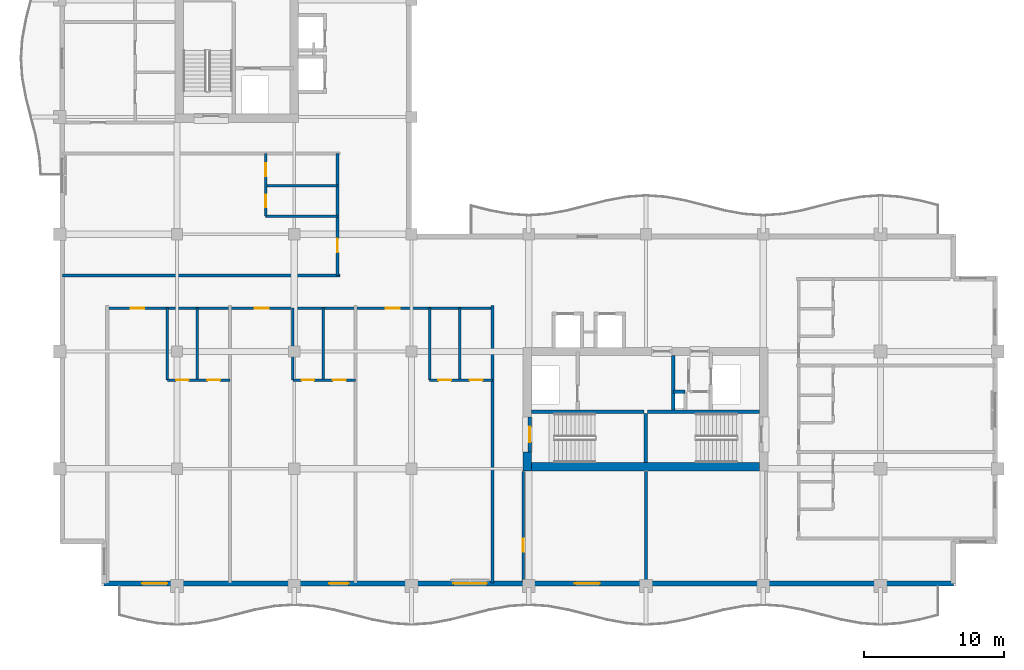
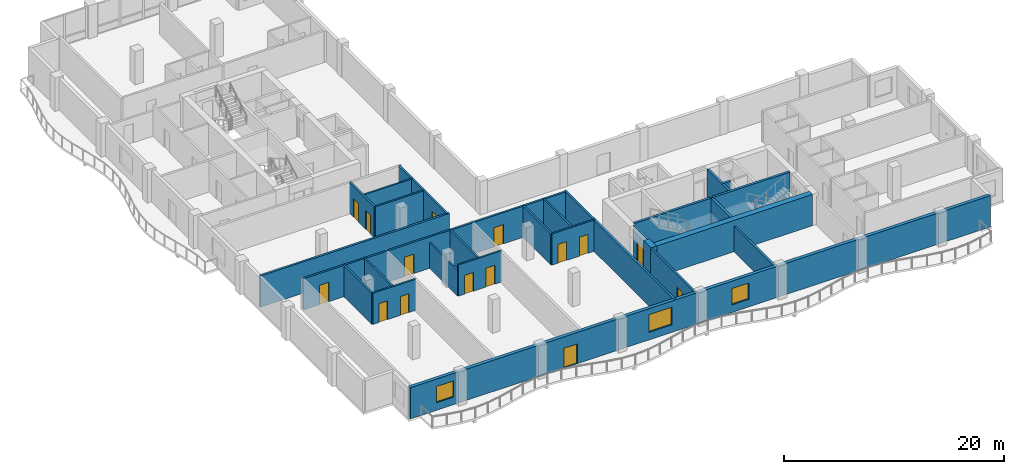
# One storey, part 6 of 17: 27 walls, 15 doors, 3 windows, 18 openings.
"""IFC4 building model written with IfcOpenShell, lengths in metres."""

from ifc_helpers import new_model, si_unit, direction, frame, frame_2d, origin, place, context, subcontext, project, spatial, rectangle, extrude, material, layer, layer_set, type_object, element, fill, save


model = new_model("IFC4")

# Units and contexts
model_context = context("Model", 3, precision=1e-05, world=origin(), true_north=direction((0.0, 1.0)))
body_context = subcontext(model_context, "Body", "Model", "MODEL_VIEW")
ifc_project = project(units=[si_unit("LENGTHUNIT", "METRE"), si_unit("AREAUNIT", "SQUARE_METRE"), si_unit("VOLUMEUNIT", "CUBIC_METRE"), si_unit("PLANEANGLEUNIT", "RADIAN"), si_unit("MASSUNIT", "GRAM", prefix="KILO")], contexts=[model_context])

# Site, building, storey
site_placement = place(None, origin())
site = spatial("IfcSite", under=ifc_project, at=site_placement, CompositionType="ELEMENT")
building_placement = place(site_placement, origin())
building = spatial("IfcBuilding", under=site, at=building_placement, Name="Koriwani Terraces Tower", CompositionType="ELEMENT")
storey_placement = place(building_placement, frame((0.0, 0.0, 237.89990234375)))
storey = spatial("IfcBuildingStorey", under=building, at=storey_placement, Name="L58", CompositionType="ELEMENT", Elevation=237.89990234375)

# Walls
ifc_material_1 = material(Name="Concrete C60/75", Category="concrete")
ifc_layer_1 = layer(ifc_material_1, 0.60009765625, Name="Concrete C60/75")
ifc_layer_set_1 = layer_set([ifc_layer_1], Name="Concrete C60/75")
wall_type_1 = type_object("IfcWallType", Name="WALL_CORE_RC_600", PredefinedType="SHEAR", material=ifc_layer_set_1)
wall_1_placement = place(storey_placement, frame((41.89990234375, 16.64990234375, 0.0), z_axis=(0.0, 0.0, 1.0), x_axis=(0.0, 1.0, 0.0)))
element("IfcWall", 1, at=wall_1_placement, inside=storey, type_object=wall_type_1, Name="L58 East Split Core Shear Wall W1", PredefinedType="SHEAR", context=body_context, shape_type="SweptSolid", body=[
    extrude(rectangle(XDim=1.35009765625, YDim=0.60009765625, at=frame_2d((0.675048828125, 0.0))), origin(), (0.0, 0.0, 1.0), 3.47021484375),
])
wall_2_placement = place(storey_placement, frame((42.199951171875, 16.949951171875, 0.0), z_axis=(0.0, 0.0, 1.0), x_axis=(1.0, 0.0, 0.0)))
element("IfcWall", 2, at=wall_2_placement, inside=storey, type_object=wall_type_1, Name="L58 East Split Core Shear Wall S1", PredefinedType="SHEAR", context=body_context, shape_type="SweptSolid", body=[
    extrude(rectangle(XDim=16.35009765625, YDim=0.60009765625, at=frame_2d((8.175048828125, 0.0))), origin(), (0.0, 0.0, 1.0), 3.47021484375),
])

# Wall, opening, door
ifc_material_2 = material(Name="Autoclaved Cellular Concrete Blockwork", Category="masonry")
ifc_layer_2 = layer(ifc_material_2, 0.199951171875, Name="Autoclaved Cellular Concrete Blockwork")
ifc_layer_set_2 = layer_set([ifc_layer_2], Name="Autoclaved Cellular Concrete Blockwork")
wall_type_2 = type_object("IfcWallType", Name="WALL_CORRIDOR_200", PredefinedType="PARTITIONING", material=ifc_layer_set_2)
wall_3_placement = place(storey_placement, frame((41.60009765625, 8.64990234375, 0.0), z_axis=(0.0, 0.0, 1.0), x_axis=(0.0, 1.0, 0.0)))
wall_3 = element("IfcWall", 3, at=wall_3_placement, inside=storey, type_object=wall_type_2, Name="L58 Interior Wall WRZ4-EW-L58", PredefinedType="PARTITIONING", context=body_context, shape_type="SweptSolid", body=[
    extrude(rectangle(XDim=7.9501953125, YDim=0.199951171875, at=frame_2d((3.97509765625, 0.0))), origin(), (0.0, 0.0, 1.0), 3.47021484375),
])
opening_1_placement = place(wall_3_placement, frame((2.199951171875, 0.0, 0.0)))
opening_1 = element("IfcOpeningElement", 4, at=opening_1_placement, cuts=wall_3, Name="Opening D-06", PredefinedType="OPENING", context=body_context, shape_type="SweptSolid", body=[
    extrude(rectangle(XDim=0.919921875, YDim=2.10009765625, at=frame_2d((0.4599609375, 1.050048828125))), frame((0.0, 0.10986328125, 0.0), z_axis=(0.0, -1.0, 0.0), x_axis=(1.0, 0.0, 0.0)), (0.0, 0.0, 1.0), 0.219970703125),
])
ifc_material_3 = material(Name="Architectural Oak Fire Door", Category="wood")
door_type_1 = type_object("IfcDoorType", Name="DOOR_ROOM_INT_920X2100", OperationType="NOTDEFINED", PredefinedType="DOOR", material=ifc_material_3)
door_1_placement = place(opening_1_placement, origin())
door_1 = element("IfcDoor", 5, at=door_1_placement, inside=storey, type_object=door_type_1, Name="L58 Resident Library Study Door", OperationType="SINGLE_SWING_RIGHT", OverallHeight=2.10009765625, OverallWidth=0.919921875, PredefinedType="DOOR", context=body_context, shape_type="SweptSolid", body=[
    extrude(rectangle(XDim=0.919921875, YDim=2.10009765625, at=frame_2d((0.4599609375, 1.050048828125))), frame((0.0, 0.02490234375, 0.0), z_axis=(0.0, -1.0, 0.0), x_axis=(1.0, 0.0, 0.0)), (0.0, 0.0, 1.0), 0.050048828125),
])
fill(opening_1, door_1)

# Wall, openings, doors
wall_4_placement = place(storey_placement, frame((11.800048828125, 28.300048828125, 0.0), z_axis=(0.0, 0.0, 1.0), x_axis=(1.0, 0.0, 0.0)))
wall_4 = element("IfcWall", 6, at=wall_4_placement, inside=storey, type_object=wall_type_2, Name="L58 Interior Wall WRCOR-L58-SW-0", PredefinedType="PARTITIONING", context=body_context, shape_type="SweptSolid", body=[
    extrude(rectangle(XDim=27.599853515625, YDim=0.199951171875, at=frame_2d((13.7998046875, 0.0))), origin(), (0.0, 0.0, 1.0), 3.47021484375),
])
opening_2_placement = place(wall_4_placement, frame((1.669921875, 0.0, 0.0)))
opening_2 = element("IfcOpeningElement", 7, at=opening_2_placement, cuts=wall_4, Name="Opening D-05", PredefinedType="OPENING", context=body_context, shape_type="SweptSolid", body=[
    extrude(rectangle(XDim=1.0, YDim=2.14990234375, at=frame_2d((0.5, 1.074951171875))), frame((0.0, 0.10986328125, 0.0), z_axis=(0.0, -1.0, 0.0), x_axis=(1.0, 0.0, 0.0)), (0.0, 0.0, 1.0), 0.219970703125),
])
opening_3_placement = place(wall_4_placement, frame((10.570068359375, 0.0, 0.0)))
opening_3 = element("IfcOpeningElement", 8, at=opening_3_placement, cuts=wall_4, Name="Opening D-05", PredefinedType="OPENING", context=body_context, shape_type="SweptSolid", body=[
    extrude(rectangle(XDim=1.0, YDim=2.14990234375, at=frame_2d((0.5, 1.074951171875))), frame((0.0, 0.10986328125, 0.0), z_axis=(0.0, -1.0, 0.0), x_axis=(1.0, 0.0, 0.0)), (0.0, 0.0, 1.0), 0.219970703125),
])
opening_4_placement = place(wall_4_placement, frame((19.969970703125, 0.0, 0.0)))
opening_4 = element("IfcOpeningElement", 9, at=opening_4_placement, cuts=wall_4, Name="Opening D-05", PredefinedType="OPENING", context=body_context, shape_type="SweptSolid", body=[
    extrude(rectangle(XDim=1.0, YDim=2.14990234375, at=frame_2d((0.5, 1.074951171875))), frame((0.0, 0.10986328125, 0.0), z_axis=(0.0, -1.0, 0.0), x_axis=(1.0, 0.0, 0.0)), (0.0, 0.0, 1.0), 0.219970703125),
])
door_type_2 = type_object("IfcDoorType", Name="DOOR_SUITE_ENTRY_1000X2150", OperationType="NOTDEFINED", PredefinedType="DOOR", material=ifc_material_3)
door_2_placement = place(opening_2_placement, origin())
door_2 = element("IfcDoor", 10, at=door_2_placement, inside=storey, type_object=door_type_2, Name="Apartment 58SW1 Entrance Door", OperationType="SINGLE_SWING_RIGHT", OverallHeight=2.14990234375, OverallWidth=1.0, PredefinedType="DOOR", context=body_context, shape_type="SweptSolid", body=[
    extrude(rectangle(XDim=1.0, YDim=2.14990234375, at=frame_2d((0.5, 1.074951171875))), frame((0.0, 0.02490234375, 0.0), z_axis=(0.0, -1.0, 0.0), x_axis=(1.0, 0.0, 0.0)), (0.0, 0.0, 1.0), 0.050048828125),
])
fill(opening_2, door_2)
door_3_placement = place(opening_3_placement, origin())
door_3 = element("IfcDoor", 11, at=door_3_placement, inside=storey, type_object=door_type_2, Name="Apartment 58SW2 Entrance Door", OperationType="SINGLE_SWING_LEFT", OverallHeight=2.14990234375, OverallWidth=1.0, PredefinedType="DOOR", context=body_context, shape_type="SweptSolid", body=[
    extrude(rectangle(XDim=1.0, YDim=2.14990234375, at=frame_2d((0.5, 1.074951171875))), frame((0.0, 0.02490234375, 0.0), z_axis=(0.0, -1.0, 0.0), x_axis=(1.0, 0.0, 0.0)), (0.0, 0.0, 1.0), 0.050048828125),
])
fill(opening_3, door_3)
door_4_placement = place(opening_4_placement, origin())
door_4 = element("IfcDoor", 12, at=door_4_placement, inside=storey, type_object=door_type_2, Name="Apartment 58SW3 Entrance Door", OperationType="SINGLE_SWING_RIGHT", OverallHeight=2.14990234375, OverallWidth=1.0, PredefinedType="DOOR", context=body_context, shape_type="SweptSolid", body=[
    extrude(rectangle(XDim=1.0, YDim=2.14990234375, at=frame_2d((0.5, 1.074951171875))), frame((0.0, 0.02490234375, 0.0), z_axis=(0.0, -1.0, 0.0), x_axis=(1.0, 0.0, 0.0)), (0.0, 0.0, 1.0), 0.050048828125),
])
fill(opening_4, door_4)

# Wall, opening, door
wall_5_placement = place(storey_placement, frame((28.300048828125, 30.64990234375, 0.0), z_axis=(0.0, 0.0, 1.0), x_axis=(0.0, 1.0, 0.0)))
wall_5 = element("IfcWall", 13, at=wall_5_placement, inside=storey, type_object=wall_type_2, Name="L58 Interior Wall WRCOR-L58-NE-0", PredefinedType="PARTITIONING", context=body_context, shape_type="SweptSolid", body=[
    extrude(rectangle(XDim=8.75, YDim=0.199951171875, at=frame_2d((4.375, 0.0))), origin(), (0.0, 0.0, 1.0), 3.47021484375),
])
opening_5_placement = place(wall_5_placement, frame((1.64501953125, 0.0, 0.0)))
opening_5 = element("IfcOpeningElement", 14, at=opening_5_placement, cuts=wall_5, Name="Opening D-05", PredefinedType="OPENING", context=body_context, shape_type="SweptSolid", body=[
    extrude(rectangle(XDim=1.0, YDim=2.14990234375, at=frame_2d((0.5, 1.074951171875))), frame((0.0, 0.10986328125, 0.0), z_axis=(0.0, -1.0, 0.0), x_axis=(1.0, 0.0, 0.0)), (0.0, 0.0, 1.0), 0.219970703125),
])
door_5_placement = place(opening_5_placement, origin())
door_5 = element("IfcDoor", 15, at=door_5_placement, inside=storey, type_object=door_type_2, Name="Apartment 58NE1 Entrance Door", OperationType="SINGLE_SWING_LEFT", OverallHeight=2.14990234375, OverallWidth=1.0, PredefinedType="DOOR", context=body_context, shape_type="SweptSolid", body=[
    extrude(rectangle(XDim=1.0, YDim=2.14990234375, at=frame_2d((0.5, 1.074951171875))), frame((0.0, 0.02490234375, 0.0), z_axis=(0.0, -1.0, 0.0), x_axis=(1.0, 0.0, 0.0)), (0.0, 0.0, 1.0), 0.050048828125),
])
fill(opening_5, door_5)

# Walls
ifc_layer_3 = layer(ifc_material_2, 0.219970703125, Name="Autoclaved Cellular Concrete Blockwork")
ifc_layer_set_3 = layer_set([ifc_layer_3], Name="Autoclaved Cellular Concrete Blockwork")
wall_type_3 = type_object("IfcWallType", Name="WALL_DEMISING_220", PredefinedType="PARTITIONING", material=ifc_layer_set_3)
wall_6_placement = place(storey_placement, frame((50.39990234375, 8.64990234375, 0.0), z_axis=(0.0, 0.0, 1.0), x_axis=(0.0, 1.0, 0.0)))
element("IfcWall", 16, at=wall_6_placement, inside=storey, type_object=wall_type_3, Name="L58 Interior Wall WRZ4-EM-L58", PredefinedType="PARTITIONING", context=body_context, shape_type="SweptSolid", body=[
    extrude(rectangle(XDim=7.9501953125, YDim=0.219970703125, at=frame_2d((3.97509765625, 0.0))), origin(), (0.0, 0.0, 1.0), 2.820068359375),
])
for number, where, z_axis, x_axis, name in (
    (17, (39.39990234375, 8.60009765625, 0.0), (0.0, 0.0, 1.0), (0.0, 1.0, 0.0), "L58 Interior Wall WRDEME-L58-SW"),
    (18, (8.60009765625, 30.64990234375, 0.0), (0.0, 0.0, 1.0), (1.0, 0.0, 0.0), "L58 Interior Wall WRDEM-L58-NE-0"),
):
    element("IfcWall", number, at=place(storey_placement, frame(where, z_axis=z_axis, x_axis=x_axis)), inside=storey, type_object=wall_type_3, Name=name, PredefinedType="PARTITIONING", context=body_context, shape_type="SweptSolid", body=[
        extrude(rectangle(XDim=19.8798828125, YDim=0.219970703125, at=frame_2d((9.93994140625, 0.0))), origin(), (0.0, 0.0, 1.0), 3.47021484375),
    ])

# Wall, openings, door, windows
ifc_material_4 = material(Name="Concrete C50/60", Category="concrete")
ifc_layer_4 = layer(ifc_material_4, 0.35009765625, Name="Concrete C50/60")
ifc_layer_set_4 = layer_set([ifc_layer_4], Name="Concrete C50/60")
wall_type_4 = type_object("IfcWallType", Name="WALL_EXT_BRUTALIST_350", PredefinedType="STANDARD", material=ifc_layer_set_4)
wall_7_placement = place(storey_placement, frame((72.425048828125, 8.574951171875, 0.0), z_axis=(0.0, 0.0, 1.0), x_axis=(-1.0, 0.0, 0.0)))
wall_7 = element("IfcWall", 19, at=wall_7_placement, inside=storey, type_object=wall_type_4, Name="L58 Fair-Faced Brutalist Exterior Wall (S)", PredefinedType="STANDARD", context=body_context, shape_type="SweptSolid", body=[
    extrude(rectangle(XDim=60.85009765625, YDim=0.35009765625, at=frame_2d((30.425048828125, 0.0))), origin(), (0.0, 0.0, 1.0), 3.47021484375),
])
opening_6_placement = place(wall_7_placement, frame((43.324951171875, 0.0, 0.0)))
opening_6 = element("IfcOpeningElement", 20, at=opening_6_placement, cuts=wall_7, Name="Opening D-09", PredefinedType="OPENING", context=body_context, shape_type="SweptSolid", body=[
    extrude(rectangle(XDim=1.39990234375, YDim=2.199951171875, at=frame_2d((0.699951171875, 1.10009765625))), frame((0.0, 0.18505859375, 0.0), z_axis=(0.0, -1.0, 0.0), x_axis=(1.0, 0.0, 0.0)), (0.0, 0.0, 1.0), 0.3701171875),
])
opening_7_placement = place(wall_7_placement, frame((33.425048828125, 0.0, 0.85009765625)))
opening_7 = element("IfcOpeningElement", 21, at=opening_7_placement, cuts=wall_7, Name="Opening W-03", PredefinedType="OPENING", context=body_context, shape_type="SweptSolid", body=[
    extrude(rectangle(XDim=2.39990234375, YDim=1.949951171875, at=frame_2d((1.199951171875, 0.97509765625))), frame((0.0, 0.18505859375, 0.0), z_axis=(0.0, -1.0, 0.0), x_axis=(1.0, 0.0, 0.0)), (0.0, 0.0, 1.0), 0.3701171875),
])
opening_8_placement = place(wall_7_placement, frame((25.324951171875, 0.0, 0.85009765625)))
opening_8 = element("IfcOpeningElement", 22, at=opening_8_placement, cuts=wall_7, Name="Opening W-04", PredefinedType="OPENING", context=body_context, shape_type="SweptSolid", body=[
    extrude(rectangle(XDim=1.800048828125, YDim=1.800048828125, at=frame_2d((0.89990234375, 0.89990234375))), frame((0.0, 0.18505859375, 0.0), z_axis=(0.0, -1.0, 0.0), x_axis=(1.0, 0.0, 0.0)), (0.0, 0.0, 1.0), 0.3701171875),
])
opening_9_placement = place(wall_7_placement, frame((56.324951171875, 0.0, 0.85009765625)))
opening_9 = element("IfcOpeningElement", 23, at=opening_9_placement, cuts=wall_7, Name="Opening W-04", PredefinedType="OPENING", context=body_context, shape_type="SweptSolid", body=[
    extrude(rectangle(XDim=1.800048828125, YDim=1.800048828125, at=frame_2d((0.89990234375, 0.89990234375))), frame((0.0, 0.18505859375, 0.0), z_axis=(0.0, -1.0, 0.0), x_axis=(1.0, 0.0, 0.0)), (0.0, 0.0, 1.0), 0.3701171875),
])
ifc_material_5 = material(Name="Anodised Bronze Aluminium", Category="aluminium")
door_type_3 = type_object("IfcDoorType", Name="DOOR_BALCONY_GLAZED_1400X2200", OperationType="NOTDEFINED", PredefinedType="DOOR", material=ifc_material_5)
door_6_placement = place(opening_6_placement, origin())
door_6 = element("IfcDoor", 24, at=door_6_placement, inside=storey, type_object=door_type_3, Name="L58 South Balcony Glazed Door", OperationType="SINGLE_SWING_LEFT", OverallHeight=2.199951171875, OverallWidth=1.39990234375, PredefinedType="DOOR", context=body_context, shape_type="SweptSolid", body=[
    extrude(rectangle(XDim=1.39990234375, YDim=2.199951171875, at=frame_2d((0.699951171875, 1.10009765625))), frame((0.0, 0.02490234375, 0.0), z_axis=(0.0, -1.0, 0.0), x_axis=(1.0, 0.0, 0.0)), (0.0, 0.0, 1.0), 0.050048828125),
])
fill(opening_6, door_6)
ifc_material_6 = material(Name="Tempered Laminated Low-E Glass", Category="glass")
window_type_1 = type_object("IfcWindowType", Name="WIN_RES_BED_1800X1800", PartitioningType="DOUBLE_PANEL_VERTICAL", PredefinedType="WINDOW", material=ifc_material_6)
window_1_placement = place(opening_8_placement, origin())
window_1 = element("IfcWindow", 25, at=window_1_placement, inside=storey, type_object=window_type_1, Name="L58 Exterior Window (S-12)", OverallHeight=1.800048828125, OverallWidth=1.800048828125, PartitioningType="SINGLE_PANEL", PredefinedType="WINDOW", context=body_context, shape_type="SweptSolid", body=[
    extrude(rectangle(XDim=1.800048828125, YDim=1.800048828125, at=frame_2d((0.89990234375, 0.89990234375))), frame((0.0, 0.030029296875, 0.0), z_axis=(0.0, -1.0, 0.0), x_axis=(1.0, 0.0, 0.0)), (0.0, 0.0, 1.0), 0.06005859375),
])
fill(opening_8, window_1)
window_2_placement = place(opening_9_placement, origin())
window_2 = element("IfcWindow", 26, at=window_2_placement, inside=storey, type_object=window_type_1, Name="L58 Exterior Window (S-R33)", OverallHeight=1.800048828125, OverallWidth=1.800048828125, PartitioningType="SINGLE_PANEL", PredefinedType="WINDOW", context=body_context, shape_type="SweptSolid", body=[
    extrude(rectangle(XDim=1.800048828125, YDim=1.800048828125, at=frame_2d((0.89990234375, 0.89990234375))), frame((0.0, 0.030029296875, 0.0), z_axis=(0.0, -1.0, 0.0), x_axis=(1.0, 0.0, 0.0)), (0.0, 0.0, 1.0), 0.06005859375),
])
fill(opening_9, window_2)
window_type_2 = type_object("IfcWindowType", Name="WIN_RES_LIVING_2400X1950", PartitioningType="DOUBLE_PANEL_VERTICAL", PredefinedType="WINDOW", material=ifc_material_6)
window_3_placement = place(opening_7_placement, origin())
window_3 = element("IfcWindow", 27, at=window_3_placement, inside=storey, type_object=window_type_2, Name="L58 Exterior Window (S-9)", OverallHeight=1.949951171875, OverallWidth=2.39990234375, PartitioningType="SINGLE_PANEL", PredefinedType="WINDOW", context=body_context, shape_type="SweptSolid", body=[
    extrude(rectangle(XDim=2.39990234375, YDim=1.949951171875, at=frame_2d((1.199951171875, 0.97509765625))), frame((0.0, 0.030029296875, 0.0), z_axis=(0.0, -1.0, 0.0), x_axis=(1.0, 0.0, 0.0)), (0.0, 0.0, 1.0), 0.06005859375),
])
fill(opening_7, window_3)

# Wall, openings, doors
ifc_material_7 = material(Name="Fire-Rated Acoustic Gypsum Partition", Category="masonry")
ifc_layer_5 = layer(ifc_material_7, 0.179931640625, Name="Fire-Rated Acoustic Gypsum Partition")
ifc_layer_set_5 = layer_set([ifc_layer_5], Name="Fire-Rated Acoustic Gypsum Partition")
wall_type_5 = type_object("IfcWallType", Name="WALL_PLUMBING_180", PredefinedType="PLUMBINGWALL", material=ifc_layer_set_5)
wall_8_placement = place(storey_placement, frame((16.10009765625, 23.14990234375, 0.0), z_axis=(0.0, 0.0, 1.0), x_axis=(1.0, 0.0, 0.0)))
wall_8 = element("IfcWall", 28, at=wall_8_placement, inside=storey, type_object=wall_type_5, Name="L58 Interior Wall WRSVC-L58-SW-0", PredefinedType="PLUMBINGWALL", context=body_context, shape_type="SweptSolid", body=[
    extrude(rectangle(XDim=4.5, YDim=0.179931640625, at=frame_2d((2.25, 0.0))), origin(), (0.0, 0.0, 1.0), 3.47021484375),
])
opening_10_placement = place(wall_8_placement, frame((0.6298828125, 0.0, 0.0)))
opening_10 = element("IfcOpeningElement", 29, at=opening_10_placement, cuts=wall_8, Name="Opening D-07", PredefinedType="OPENING", context=body_context, shape_type="SweptSolid", body=[
    extrude(rectangle(XDim=0.89990234375, YDim=2.10009765625, at=frame_2d((0.449951171875, 1.050048828125))), frame((0.0, 0.10009765625, 0.0), z_axis=(0.0, -1.0, 0.0), x_axis=(1.0, 0.0, 0.0)), (0.0, 0.0, 1.0), 0.199951171875),
])
opening_11_placement = place(wall_8_placement, frame((2.8701171875, 0.0, 0.0)))
opening_11 = element("IfcOpeningElement", 30, at=opening_11_placement, cuts=wall_8, Name="Opening D-06", PredefinedType="OPENING", context=body_context, shape_type="SweptSolid", body=[
    extrude(rectangle(XDim=0.919921875, YDim=2.10009765625, at=frame_2d((0.4599609375, 1.050048828125))), frame((0.0, 0.10009765625, 0.0), z_axis=(0.0, -1.0, 0.0), x_axis=(1.0, 0.0, 0.0)), (0.0, 0.0, 1.0), 0.199951171875),
])
door_type_4 = type_object("IfcDoorType", Name="DOOR_BATH_INT_900X2100", OperationType="NOTDEFINED", PredefinedType="DOOR", material=ifc_material_3)
door_7_placement = place(opening_10_placement, origin())
door_7 = element("IfcDoor", 31, at=door_7_placement, inside=storey, type_object=door_type_4, Name="Apartment 58SW1 Bathroom Door", OperationType="SINGLE_SWING_LEFT", OverallHeight=2.10009765625, OverallWidth=0.89990234375, PredefinedType="DOOR", context=body_context, shape_type="SweptSolid", body=[
    extrude(rectangle(XDim=0.89990234375, YDim=2.10009765625, at=frame_2d((0.449951171875, 1.050048828125))), frame((0.0, 0.02490234375, 0.0), z_axis=(0.0, -1.0, 0.0), x_axis=(1.0, 0.0, 0.0)), (0.0, 0.0, 1.0), 0.050048828125),
])
fill(opening_10, door_7)
door_8_placement = place(opening_11_placement, origin())
door_8 = element("IfcDoor", 32, at=door_8_placement, inside=storey, type_object=door_type_1, Name="Apartment 58SW1 Kitchen Door", OperationType="SINGLE_SWING_RIGHT", OverallHeight=2.10009765625, OverallWidth=0.919921875, PredefinedType="DOOR", context=body_context, shape_type="SweptSolid", body=[
    extrude(rectangle(XDim=0.919921875, YDim=2.10009765625, at=frame_2d((0.4599609375, 1.050048828125))), frame((0.0, 0.02490234375, 0.0), z_axis=(0.0, -1.0, 0.0), x_axis=(1.0, 0.0, 0.0)), (0.0, 0.0, 1.0), 0.050048828125),
])
fill(opening_11, door_8)

# Walls
for number, where, z_axis, x_axis, name in (
    (33, (16.10009765625, 23.14990234375, 0.0), (0.0, 0.0, 1.0), (0.0, 1.0, 0.0), "L58 Interior Wall WRSVCS-L58-SW-0"),
    (34, (18.260009765625, 23.14990234375, 0.0), (0.0, 0.0, 1.0), (0.0, 1.0, 0.0), "L58 Interior Wall WRSVCM-L58-SW-0"),
):
    element("IfcWall", number, at=place(storey_placement, frame(where, z_axis=z_axis, x_axis=x_axis)), inside=storey, type_object=wall_type_5, Name=name, PredefinedType="PLUMBINGWALL", context=body_context, shape_type="SweptSolid", body=[
        extrude(rectangle(XDim=5.150146484375, YDim=0.179931640625, at=frame_2d((2.5751953125, 0.0))), origin(), (0.0, 0.0, 1.0), 3.47021484375),
    ])

# Wall, openings, doors
wall_9_placement = place(storey_placement, frame((25.10009765625, 23.14990234375, 0.0), z_axis=(0.0, 0.0, 1.0), x_axis=(1.0, 0.0, 0.0)))
wall_9 = element("IfcWall", 35, at=wall_9_placement, inside=storey, type_object=wall_type_5, Name="L58 Interior Wall WRSVC-L58-SW-1", PredefinedType="PLUMBINGWALL", context=body_context, shape_type="SweptSolid", body=[
    extrude(rectangle(XDim=4.5, YDim=0.179931640625, at=frame_2d((2.25, 0.0))), origin(), (0.0, 0.0, 1.0), 3.47021484375),
])
opening_12_placement = place(wall_9_placement, frame((0.6298828125, 0.0, 0.0)))
opening_12 = element("IfcOpeningElement", 36, at=opening_12_placement, cuts=wall_9, Name="Opening D-07", PredefinedType="OPENING", context=body_context, shape_type="SweptSolid", body=[
    extrude(rectangle(XDim=0.89990234375, YDim=2.10009765625, at=frame_2d((0.449951171875, 1.050048828125))), frame((0.0, 0.10009765625, 0.0), z_axis=(0.0, -1.0, 0.0), x_axis=(1.0, 0.0, 0.0)), (0.0, 0.0, 1.0), 0.199951171875),
])
opening_13_placement = place(wall_9_placement, frame((2.8701171875, 0.0, 0.0)))
opening_13 = element("IfcOpeningElement", 37, at=opening_13_placement, cuts=wall_9, Name="Opening D-06", PredefinedType="OPENING", context=body_context, shape_type="SweptSolid", body=[
    extrude(rectangle(XDim=0.919921875, YDim=2.10009765625, at=frame_2d((0.4599609375, 1.050048828125))), frame((0.0, 0.10009765625, 0.0), z_axis=(0.0, -1.0, 0.0), x_axis=(1.0, 0.0, 0.0)), (0.0, 0.0, 1.0), 0.199951171875),
])
door_9_placement = place(opening_12_placement, origin())
door_9 = element("IfcDoor", 38, at=door_9_placement, inside=storey, type_object=door_type_4, Name="Apartment 58SW2 Bathroom Door", OperationType="SINGLE_SWING_RIGHT", OverallHeight=2.10009765625, OverallWidth=0.89990234375, PredefinedType="DOOR", context=body_context, shape_type="SweptSolid", body=[
    extrude(rectangle(XDim=0.89990234375, YDim=2.10009765625, at=frame_2d((0.449951171875, 1.050048828125))), frame((0.0, 0.02490234375, 0.0), z_axis=(0.0, -1.0, 0.0), x_axis=(1.0, 0.0, 0.0)), (0.0, 0.0, 1.0), 0.050048828125),
])
fill(opening_12, door_9)
door_10_placement = place(opening_13_placement, origin())
door_10 = element("IfcDoor", 39, at=door_10_placement, inside=storey, type_object=door_type_1, Name="Apartment 58SW2 Kitchen Door", OperationType="SINGLE_SWING_LEFT", OverallHeight=2.10009765625, OverallWidth=0.919921875, PredefinedType="DOOR", context=body_context, shape_type="SweptSolid", body=[
    extrude(rectangle(XDim=0.919921875, YDim=2.10009765625, at=frame_2d((0.4599609375, 1.050048828125))), frame((0.0, 0.02490234375, 0.0), z_axis=(0.0, -1.0, 0.0), x_axis=(1.0, 0.0, 0.0)), (0.0, 0.0, 1.0), 0.050048828125),
])
fill(opening_13, door_10)

# Walls
wall_10_placement = place(storey_placement, frame((25.10009765625, 23.14990234375, 0.0), z_axis=(0.0, 0.0, 1.0), x_axis=(0.0, 1.0, 0.0)))
element("IfcWall", 40, at=wall_10_placement, inside=storey, type_object=wall_type_5, Name="L58 Interior Wall WRSVCS-L58-SW-1", PredefinedType="PLUMBINGWALL", context=body_context, shape_type="SweptSolid", body=[
    extrude(rectangle(XDim=5.150146484375, YDim=0.179931640625, at=frame_2d((2.5751953125, 0.0))), origin(), (0.0, 0.0, 1.0), 2.820068359375),
])
wall_11_placement = place(storey_placement, frame((27.260009765625, 23.14990234375, 0.0), z_axis=(0.0, 0.0, 1.0), x_axis=(0.0, 1.0, 0.0)))
element("IfcWall", 41, at=wall_11_placement, inside=storey, type_object=wall_type_5, Name="L58 Interior Wall WRSVCM-L58-SW-1", PredefinedType="PLUMBINGWALL", context=body_context, shape_type="SweptSolid", body=[
    extrude(rectangle(XDim=5.150146484375, YDim=0.179931640625, at=frame_2d((2.5751953125, 0.0))), origin(), (0.0, 0.0, 1.0), 3.47021484375),
])

# Wall, openings, doors
wall_12_placement = place(storey_placement, frame((34.89990234375, 23.14990234375, 0.0), z_axis=(0.0, 0.0, 1.0), x_axis=(1.0, 0.0, 0.0)))
wall_12 = element("IfcWall", 42, at=wall_12_placement, inside=storey, type_object=wall_type_5, Name="L58 Interior Wall WRSVC-L58-SW-2", PredefinedType="PLUMBINGWALL", context=body_context, shape_type="SweptSolid", body=[
    extrude(rectangle(XDim=4.5, YDim=0.179931640625, at=frame_2d((2.25, 0.0))), origin(), (0.0, 0.0, 1.0), 3.47021484375),
])
opening_14_placement = place(wall_12_placement, frame((0.6298828125, 0.0, 0.0)))
opening_14 = element("IfcOpeningElement", 43, at=opening_14_placement, cuts=wall_12, Name="Opening D-07", PredefinedType="OPENING", context=body_context, shape_type="SweptSolid", body=[
    extrude(rectangle(XDim=0.89990234375, YDim=2.10009765625, at=frame_2d((0.449951171875, 1.050048828125))), frame((0.0, 0.10009765625, 0.0), z_axis=(0.0, -1.0, 0.0), x_axis=(1.0, 0.0, 0.0)), (0.0, 0.0, 1.0), 0.199951171875),
])
opening_15_placement = place(wall_12_placement, frame((2.8701171875, 0.0, 0.0)))
opening_15 = element("IfcOpeningElement", 44, at=opening_15_placement, cuts=wall_12, Name="Opening D-06", PredefinedType="OPENING", context=body_context, shape_type="SweptSolid", body=[
    extrude(rectangle(XDim=0.919921875, YDim=2.10009765625, at=frame_2d((0.4599609375, 1.050048828125))), frame((0.0, 0.10009765625, 0.0), z_axis=(0.0, -1.0, 0.0), x_axis=(1.0, 0.0, 0.0)), (0.0, 0.0, 1.0), 0.199951171875),
])
door_11_placement = place(opening_14_placement, origin())
door_11 = element("IfcDoor", 45, at=door_11_placement, inside=storey, type_object=door_type_4, Name="Apartment 58SW3 Bathroom Door", OperationType="SINGLE_SWING_LEFT", OverallHeight=2.10009765625, OverallWidth=0.89990234375, PredefinedType="DOOR", context=body_context, shape_type="SweptSolid", body=[
    extrude(rectangle(XDim=0.89990234375, YDim=2.10009765625, at=frame_2d((0.449951171875, 1.050048828125))), frame((0.0, 0.02490234375, 0.0), z_axis=(0.0, -1.0, 0.0), x_axis=(1.0, 0.0, 0.0)), (0.0, 0.0, 1.0), 0.050048828125),
])
fill(opening_14, door_11)
door_12_placement = place(opening_15_placement, origin())
door_12 = element("IfcDoor", 46, at=door_12_placement, inside=storey, type_object=door_type_1, Name="Apartment 58SW3 Kitchen Door", OperationType="SINGLE_SWING_RIGHT", OverallHeight=2.10009765625, OverallWidth=0.919921875, PredefinedType="DOOR", context=body_context, shape_type="SweptSolid", body=[
    extrude(rectangle(XDim=0.919921875, YDim=2.10009765625, at=frame_2d((0.4599609375, 1.050048828125))), frame((0.0, 0.02490234375, 0.0), z_axis=(0.0, -1.0, 0.0), x_axis=(1.0, 0.0, 0.0)), (0.0, 0.0, 1.0), 0.050048828125),
])
fill(opening_15, door_12)

# Walls
for number, where, z_axis, x_axis, name in (
    (47, (34.89990234375, 23.14990234375, 0.0), (0.0, 0.0, 1.0), (0.0, 1.0, 0.0), "L58 Interior Wall WRSVCS-L58-SW-2"),
    (48, (37.06005859375, 23.14990234375, 0.0), (0.0, 0.0, 1.0), (0.0, 1.0, 0.0), "L58 Interior Wall WRSVCM-L58-SW-2"),
):
    element("IfcWall", number, at=place(storey_placement, frame(where, z_axis=z_axis, x_axis=x_axis)), inside=storey, type_object=wall_type_5, Name=name, PredefinedType="PLUMBINGWALL", context=body_context, shape_type="SweptSolid", body=[
        extrude(rectangle(XDim=5.150146484375, YDim=0.179931640625, at=frame_2d((2.5751953125, 0.0))), origin(), (0.0, 0.0, 1.0), 3.47021484375),
    ])

# Wall, openings, doors
wall_13_placement = place(storey_placement, frame((23.14990234375, 34.89990234375, 0.0), z_axis=(0.0, 0.0, 1.0), x_axis=(0.0, 1.0, 0.0)))
wall_13 = element("IfcWall", 49, at=wall_13_placement, inside=storey, type_object=wall_type_5, Name="L58 Interior Wall WRSVC-L58-NE-0", PredefinedType="PLUMBINGWALL", context=body_context, shape_type="SweptSolid", body=[
    extrude(rectangle(XDim=4.5, YDim=0.179931640625, at=frame_2d((2.25, 0.0))), origin(), (0.0, 0.0, 1.0), 3.47021484375),
])
opening_16_placement = place(wall_13_placement, frame((0.6298828125, 0.0, 0.0)))
opening_16 = element("IfcOpeningElement", 50, at=opening_16_placement, cuts=wall_13, Name="Opening D-07", PredefinedType="OPENING", context=body_context, shape_type="SweptSolid", body=[
    extrude(rectangle(XDim=0.89990234375, YDim=2.10009765625, at=frame_2d((0.449951171875, 1.050048828125))), frame((0.0, 0.10009765625, 0.0), z_axis=(0.0, -1.0, 0.0), x_axis=(1.0, 0.0, 0.0)), (0.0, 0.0, 1.0), 0.199951171875),
])
opening_17_placement = place(wall_13_placement, frame((2.8701171875, 0.0, 0.0)))
opening_17 = element("IfcOpeningElement", 51, at=opening_17_placement, cuts=wall_13, Name="Opening D-06", PredefinedType="OPENING", context=body_context, shape_type="SweptSolid", body=[
    extrude(rectangle(XDim=0.919921875, YDim=2.10009765625, at=frame_2d((0.4599609375, 1.050048828125))), frame((0.0, 0.10009765625, 0.0), z_axis=(0.0, -1.0, 0.0), x_axis=(1.0, 0.0, 0.0)), (0.0, 0.0, 1.0), 0.199951171875),
])
door_13_placement = place(opening_16_placement, origin())
door_13 = element("IfcDoor", 52, at=door_13_placement, inside=storey, type_object=door_type_4, Name="Apartment 58NE1 Bathroom Door", OperationType="SINGLE_SWING_RIGHT", OverallHeight=2.10009765625, OverallWidth=0.89990234375, PredefinedType="DOOR", context=body_context, shape_type="SweptSolid", body=[
    extrude(rectangle(XDim=0.89990234375, YDim=2.10009765625, at=frame_2d((0.449951171875, 1.050048828125))), frame((0.0, 0.02490234375, 0.0), z_axis=(0.0, -1.0, 0.0), x_axis=(1.0, 0.0, 0.0)), (0.0, 0.0, 1.0), 0.050048828125),
])
fill(opening_16, door_13)
door_14_placement = place(opening_17_placement, origin())
door_14 = element("IfcDoor", 53, at=door_14_placement, inside=storey, type_object=door_type_1, Name="Apartment 58NE1 Kitchen Door", OperationType="SINGLE_SWING_LEFT", OverallHeight=2.10009765625, OverallWidth=0.919921875, PredefinedType="DOOR", context=body_context, shape_type="SweptSolid", body=[
    extrude(rectangle(XDim=0.919921875, YDim=2.10009765625, at=frame_2d((0.4599609375, 1.050048828125))), frame((0.0, 0.02490234375, 0.0), z_axis=(0.0, -1.0, 0.0), x_axis=(1.0, 0.0, 0.0)), (0.0, 0.0, 1.0), 0.050048828125),
])
fill(opening_17, door_14)

# Walls
for number, where, z_axis, x_axis, name in (
    (54, (23.14990234375, 34.89990234375, 0.0), (0.0, 0.0, 1.0), (1.0, 0.0, 0.0), "L58 Interior Wall WRSVCS-L58-NE-0"),
    (55, (23.14990234375, 37.06005859375, 0.0), (0.0, 0.0, 1.0), (1.0, 0.0, 0.0), "L58 Interior Wall WRSVCM-L58-NE-0"),
):
    element("IfcWall", number, at=place(storey_placement, frame(where, z_axis=z_axis, x_axis=x_axis)), inside=storey, type_object=wall_type_5, Name=name, PredefinedType="PLUMBINGWALL", context=body_context, shape_type="SweptSolid", body=[
        extrude(rectangle(XDim=5.150146484375, YDim=0.179931640625, at=frame_2d((2.5751953125, 0.0))), origin(), (0.0, 0.0, 1.0), 3.47021484375),
    ])
ifc_material_8 = material(Name="Concrete C40/50", Category="concrete")
ifc_layer_6 = layer(ifc_material_8, 0.25, Name="Concrete C40/50")
ifc_layer_set_6 = layer_set([ifc_layer_6], Name="Concrete C40/50")
wall_type_6 = type_object("IfcWallType", Name="WALL_SHAFT_RATED_250", PredefinedType="SOLIDWALL", material=ifc_layer_set_6)
for number, where, z_axis, x_axis, name in (
    (56, (42.199951171875, 20.875, 0.0), (0.0, 0.0, 1.0), (1.0, 0.0, 0.0), "L58 East Split Core Web Wall MID1"),
    (57, (50.5, 20.875, 0.0), (0.0, 0.0, 1.0), (1.0, 0.0, 0.0), "L58 East Split Core Web Wall MID2"),
):
    element("IfcWall", number, at=place(storey_placement, frame(where, z_axis=z_axis, x_axis=x_axis)), inside=storey, type_object=wall_type_6, Name=name, PredefinedType="SOLIDWALL", context=body_context, shape_type="SweptSolid", body=[
        extrude(rectangle(XDim=8.050048828125, YDim=0.25, at=frame_2d((4.02490234375, 0.0))), origin(), (0.0, 0.0, 1.0), 3.47021484375),
    ])
wall_14_placement = place(storey_placement, frame((50.375, 17.25, 0.0), z_axis=(0.0, 0.0, 1.0), x_axis=(0.0, 1.0, 0.0)))
element("IfcWall", 58, at=wall_14_placement, inside=storey, type_object=wall_type_6, Name="L58 East Split Core Stair Dividing Wall", PredefinedType="SOLIDWALL", context=body_context, shape_type="SweptSolid", body=[
    extrude(rectangle(XDim=3.5, YDim=0.25, at=frame_2d((1.75, 0.0))), origin(), (0.0, 0.0, 1.0), 3.47021484375),
])

# Wall, opening, door
wall_15_placement = place(storey_placement, frame((42.074951171875, 18.0, 0.0), z_axis=(0.0, 0.0, 1.0), x_axis=(0.0, 1.0, 0.0)))
wall_15 = element("IfcWall", 59, at=wall_15_placement, inside=storey, type_object=wall_type_6, Name="L58 Interior Wall WIN-CE-L58-STW", PredefinedType="SOLIDWALL", context=body_context, shape_type="SweptSolid", body=[
    extrude(rectangle(XDim=2.5, YDim=0.25, at=frame_2d((1.25, 0.0))), origin(), (0.0, 0.0, 1.0), 3.47021484375),
])
opening_18_placement = place(wall_15_placement, frame((0.699951171875, 0.0, 0.0)))
opening_18 = element("IfcOpeningElement", 60, at=opening_18_placement, cuts=wall_15, Name="Opening D-03", PredefinedType="OPENING", context=body_context, shape_type="SweptSolid", body=[
    extrude(rectangle(XDim=1.10009765625, YDim=2.14990234375, at=frame_2d((0.550048828125, 1.074951171875))), frame((0.0, 0.135009765625, 0.0), z_axis=(0.0, -1.0, 0.0), x_axis=(1.0, 0.0, 0.0)), (0.0, 0.0, 1.0), 0.27001953125),
])
ifc_material_9 = material(Name="Steel ASTM A572 Grade 50", Category="steel")
door_type_5 = type_object("IfcDoorType", Name="DOOR_STAIR_FIRE_1100X2150", OperationType="NOTDEFINED", PredefinedType="DOOR", material=ifc_material_9)
door_15_placement = place(opening_18_placement, origin())
door_15 = element("IfcDoor", 61, at=door_15_placement, inside=storey, type_object=door_type_5, Name="L58 Exit Stair ST-E1 Door", OperationType="SINGLE_SWING_RIGHT", OverallHeight=2.14990234375, OverallWidth=1.10009765625, PredefinedType="DOOR", context=body_context, shape_type="SweptSolid", body=[
    extrude(rectangle(XDim=1.10009765625, YDim=2.14990234375, at=frame_2d((0.550048828125, 1.074951171875))), frame((0.0, 0.02490234375, 0.0), z_axis=(0.0, -1.0, 0.0), x_axis=(1.0, 0.0, 0.0)), (0.0, 0.0, 1.0), 0.050048828125),
])
fill(opening_18, door_15)

# Walls
wall_16_placement = place(storey_placement, frame((52.340087890625, 21.0, 0.0), z_axis=(0.0, 0.0, 1.0), x_axis=(0.0, 1.0, 0.0)))
element("IfcWall", 62, at=wall_16_placement, inside=storey, type_object=wall_type_6, Name="L58 Interior Wall WIN-CE-L58-FFE", PredefinedType="SOLIDWALL", context=body_context, shape_type="SweptSolid", body=[
    extrude(rectangle(XDim=3.89990234375, YDim=0.25, at=frame_2d((1.949951171875, 0.0))), origin(), (0.0, 0.0, 1.0), 3.47021484375),
])
wall_17_placement = place(storey_placement, frame((52.360107421875, 22.300048828125, 0.0), z_axis=(0.0, 0.0, 1.0), x_axis=(1.0, 0.0, 0.0)))
element("IfcWall", 63, at=wall_17_placement, inside=storey, type_object=wall_type_6, Name="L58 Interior Wall WIN-CE-L58-RS2", PredefinedType="SOLIDWALL", context=body_context, shape_type="SweptSolid", body=[
    extrude(rectangle(XDim=0.83984375, YDim=0.25, at=frame_2d((0.419921875, 0.0))), origin(), (0.0, 0.0, 1.0), 3.47021484375),
])

save(model, "model.ifc")
